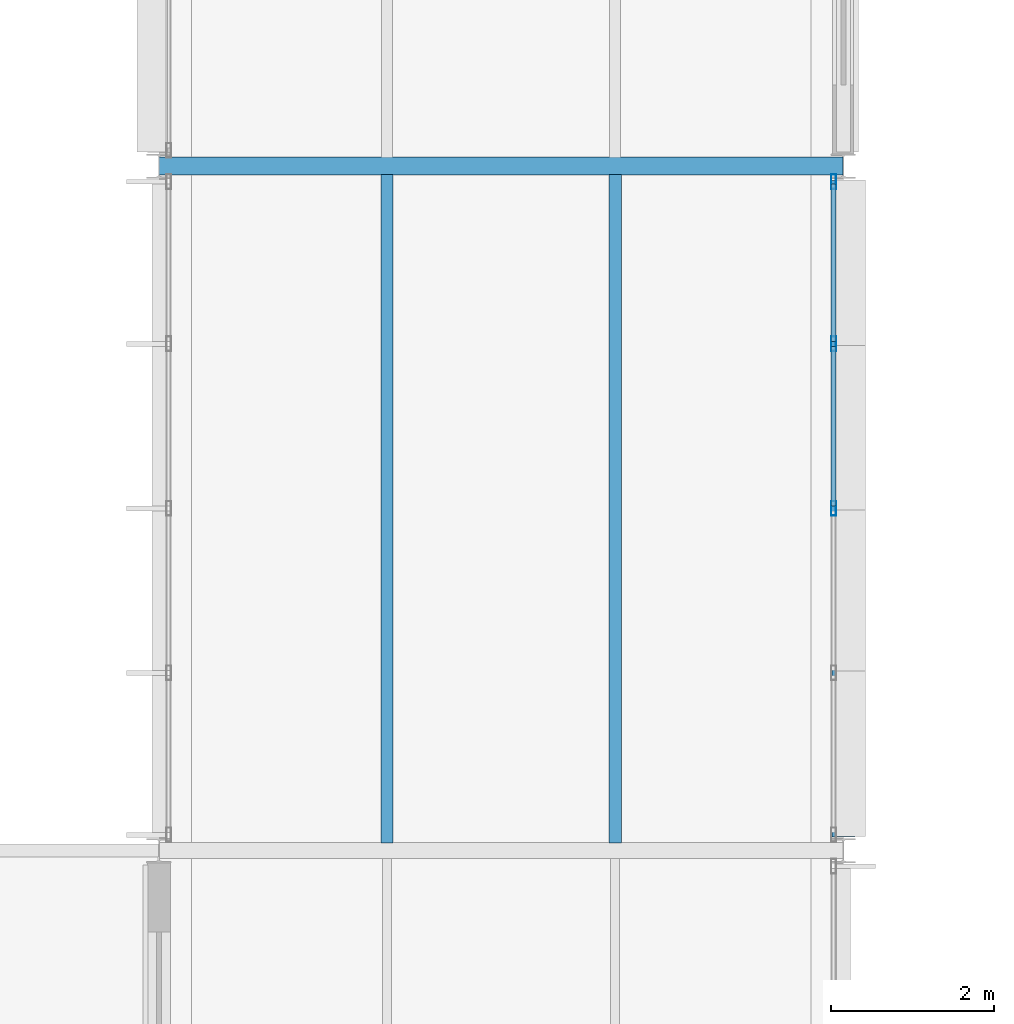
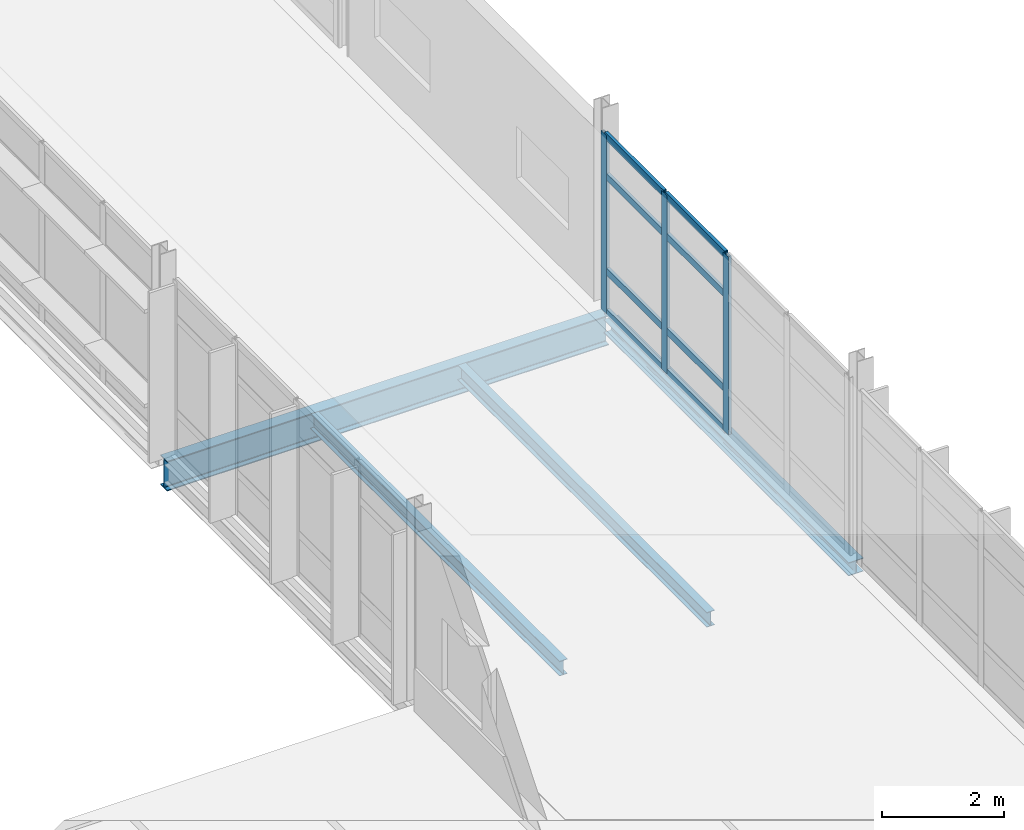
# One storey, part 35 of 66: 11 members, 4 beams, 1 element without a shape of its own.
"""IFC4 building model written with IfcOpenShell, lengths in metres."""

import ifcopenshell
import ifcopenshell.guid

model = None  # the IFC model being written
_history = None  # IfcOwnerHistory: only IFC2X3 demands one
_inside = {}  # id of a spatial element -> (the spatial element, [elements in it])
_under = {}  # id of a project, library or spatial element -> (it, [spatial elements below it])
_declared = {}  # id of a project -> (the project, [libraries it declares])
_typed = {}  # id of a type object -> (the type object, [elements of that type])
_made_of = {}  # id of a material, layer set ... -> (it, [elements and type objects made of it])


def new_model(schema):
    """Start an empty IFC model of exactly this schema.

    Asked for "IFC4X3", IfcOpenShell would pick the latest addendum, in which some entities
    have other attributes; the version numbers below select the first issue.
    IFC2X3 requires an IfcOwnerHistory on every rooted entity: one is made here for all.
    """
    global model, _history
    if schema == "IFC4X3":
        model = ifcopenshell.file(schema_version=(4, 3, 0, 0))
    else:
        model = ifcopenshell.file(schema=schema)
    _inside.clear()
    _under.clear()
    _declared.clear()
    _typed.clear()
    _made_of.clear()
    _history = None
    if model.schema == "IFC2X3":
        org = make("IfcOrganization", Name="unknown")
        user = make(
            "IfcPersonAndOrganization",
            ThePerson=make("IfcPerson", FamilyName="unknown"),
            TheOrganization=org,
        )
        app = make(
            "IfcApplication",
            ApplicationDeveloper=org,
            Version="unknown",
            ApplicationFullName="unknown",
            ApplicationIdentifier="unknown",
        )
        _history = make(
            "IfcOwnerHistory",
            OwningUser=user,
            OwningApplication=app,
            ChangeAction="ADDED",
            CreationDate=0,
        )
    return model


def make(cls, **values):
    """One entity of the class cls with the attributes given. An attribute that is None is left unset."""
    return model.create_entity(
        cls, **{name: value for name, value in values.items() if value is not None}
    )


def rooted(cls, **values):
    """An entity with a GlobalId (a new one), such as an element, a storey or a relation."""
    return make(cls, GlobalId=ifcopenshell.guid.new(), OwnerHistory=_history, **values)


def si_unit(unit_type, name, prefix=None):
    """IfcSIUnit, for example si_unit("LENGTHUNIT", "METRE", prefix="MILLI")."""
    return make("IfcSIUnit", UnitType=unit_type, Prefix=prefix, Name=name)


def assignment(units):
    """IfcUnitAssignment: the units of a project."""
    return None if units is None else make("IfcUnitAssignment", Units=units)


def point(xyz):
    """IfcCartesianPoint."""
    return None if xyz is None else make("IfcCartesianPoint", Coordinates=xyz)


def direction(xyz):
    """IfcDirection."""
    return None if xyz is None else make("IfcDirection", DirectionRatios=xyz)


def frame(location, z_axis=None, x_axis=None):
    """IfcAxis2Placement3D, a coordinate frame: its origin and axes. An axis left out is left unset."""
    return make(
        "IfcAxis2Placement3D",
        Location=point(location),
        Axis=direction(z_axis),
        RefDirection=direction(x_axis),
    )


def frame_2d(location, x_axis=None):
    """IfcAxis2Placement2D, a coordinate frame in the plane: its origin and x axis."""
    return make(
        "IfcAxis2Placement2D", Location=point(location), RefDirection=direction(x_axis)
    )


def origin():
    """The frame at (0, 0, 0) with its axes left unset."""
    return frame((0.0, 0.0, 0.0))


def origin_2d():
    """The frame at (0, 0) in the plane with its x axis left unset."""
    return frame_2d((0.0, 0.0))


def place(relative_to, where):
    """IfcLocalPlacement: puts the frame where relative to a parent placement (None: the world)."""
    return make(
        "IfcLocalPlacement", PlacementRelTo=relative_to, RelativePlacement=where
    )


def context(
    kind, dimensions, precision=None, world=None, true_north=None, identifier=None
):
    """IfcGeometricRepresentationContext, for example the 3D "Model" context."""
    return make(
        "IfcGeometricRepresentationContext",
        ContextIdentifier=identifier,
        ContextType=kind,
        CoordinateSpaceDimension=dimensions,
        Precision=precision,
        WorldCoordinateSystem=world,
        TrueNorth=true_north,
    )


def subcontext(parent, identifier, kind, view, scale=None):
    """IfcGeometricRepresentationSubContext, for example "Body" below "Model"."""
    return make(
        "IfcGeometricRepresentationSubContext",
        ContextIdentifier=identifier,
        ContextType=kind,
        ParentContext=parent,
        TargetScale=scale,
        TargetView=view,
    )


def project(units=None, contexts=None):
    """IfcProject with its units and contexts."""
    return rooted(
        "IfcProject",
        Name="project",
        RepresentationContexts=contexts,
        UnitsInContext=assignment(units),
    )


def spatial(cls, under=None, at=None, **own):
    """A site, building, storey or space (cls), placed at a placement, below another one or the project."""
    s = rooted(cls, ObjectPlacement=at, **own)
    if under is not None:
        _under.setdefault(under.id(), (under, []))[1].append(s)
    return s


def profile(cls, at=None, kind="AREA", **sizes):
    """A parametric profile (cls). Its sizes go by their IFC names, for example OverallWidth=200.0."""
    return make(cls, ProfileType=kind, Position=at, **sizes)


def hollow_rectangle(**sizes):
    """IfcRectangleHollowProfileDef."""
    return profile("IfcRectangleHollowProfileDef", **sizes)


def i_section(**sizes):
    """IfcIShapeProfileDef."""
    return profile("IfcIShapeProfileDef", **sizes)


def extrude(swept, where, along, depth):
    """IfcExtrudedAreaSolid: the profile swept, set in the frame where, extruded along a direction by depth."""
    return make(
        "IfcExtrudedAreaSolid",
        SweptArea=swept,
        Position=where,
        ExtrudedDirection=direction(along),
        Depth=depth,
    )


def shape(context_of_items, identifier, shape_type, items):
    """IfcShapeRepresentation: the items that make up one representation, for example the "Body"."""
    return make(
        "IfcShapeRepresentation",
        ContextOfItems=context_of_items,
        RepresentationIdentifier=identifier,
        RepresentationType=shape_type,
        Items=items,
    )


def material(Name=None, Category=None):
    """IfcMaterial."""
    return make("IfcMaterial", Name=Name, Category=Category)


def material_profile(
    of_material, cross_section, Name=None, Category=None, Priority=None
):
    """IfcMaterialProfile: a cross section and its material."""
    return make(
        "IfcMaterialProfile",
        Name=Name,
        Material=of_material,
        Profile=cross_section,
        Priority=Priority,
        Category=Category,
    )


def profile_set(profiles, Name=None, composite=None):
    """IfcMaterialProfileSet."""
    return make(
        "IfcMaterialProfileSet",
        Name=Name,
        MaterialProfiles=profiles,
        CompositeProfile=composite,
    )


def made_of(thing, what):
    """Note that an element or type object is made of a material, layer set ...; save() writes the relation."""
    if what is not None:
        _made_of.setdefault(what.id(), (what, []))[1].append(thing)
    return thing


def type_object(cls, material=None, **own):
    """A type object (cls), such as IfcWallType, which elements share."""
    return made_of(rooted(cls, **own), material)


def element(
    cls,
    number,
    at=None,
    inside=None,
    cuts=None,
    type_object=None,
    material=None,
    context=None,
    identifier="Body",
    shape_type=None,
    held_by="IfcProductDefinitionShape",
    body=None,
    shapes=None,
    **own,
):
    """One element of the class cls, such as IfcWall. Its Tag is "e" and its number.

    at: its placement. inside: the storey or other place that contains it. cuts: it is an
    opening in that element (IfcRelVoidsElement). A single representation is given by context,
    identifier, shape_type and body (its items); several are given by shapes. held_by: the class
    of the entity that holds the representations. save() writes the other relations.
    """
    e = rooted(cls, Tag="e%d" % number, ObjectPlacement=at, **own)
    if body is not None:
        shapes = [shape(context, identifier, shape_type, body)]
    if shapes is not None:
        e.Representation = make(held_by, Representations=shapes)
    if inside is not None:
        _inside.setdefault(inside.id(), (inside, []))[1].append(e)
    if cuts is not None:
        rooted(
            "IfcRelVoidsElement", RelatingBuildingElement=cuts, RelatedOpeningElement=e
        )
    if type_object is not None:
        _typed.setdefault(type_object.id(), (type_object, []))[1].append(e)
    return made_of(e, material)


def aggregate(whole, parts):
    """IfcRelAggregates: a whole, such as a stair, and the parts it consists of."""
    return rooted("IfcRelAggregates", RelatingObject=whole, RelatedObjects=parts)


def save(model, path):
    """Write the relations noted so far, then the file.

    IfcRelAggregates (storeys below a building ...), IfcRelContainedInSpatialStructure (elements
    in a storey), IfcRelDefinesByType, IfcRelAssociatesMaterial and IfcRelDeclares: one each for
    every whole, place, type object, material and project.
    """
    for whole, parts in _under.values():
        aggregate(whole, parts)
    for where, things in _inside.values():
        rooted(
            "IfcRelContainedInSpatialStructure",
            RelatedElements=things,
            RelatingStructure=where,
        )
    for kind, things in _typed.values():
        rooted("IfcRelDefinesByType", RelatedObjects=things, RelatingType=kind)
    for what, things in _made_of.values():
        rooted("IfcRelAssociatesMaterial", RelatedObjects=things, RelatingMaterial=what)
    for by, libraries in _declared.values():
        rooted("IfcRelDeclares", RelatingContext=by, RelatedDefinitions=libraries)
    model.write(path)


model = new_model("IFC4")

# Units and contexts
model_context = context("Model", 3, precision=1e-05, world=origin(), true_north=direction((0.0, 1.0)))
body_context = subcontext(model_context, "Body", "Model", "MODEL_VIEW")
ifc_project = project(units=[si_unit("LENGTHUNIT", "METRE"), si_unit("AREAUNIT", "SQUARE_METRE"), si_unit("VOLUMEUNIT", "CUBIC_METRE"), si_unit("PLANEANGLEUNIT", "RADIAN"), si_unit("MASSUNIT", "GRAM", prefix="KILO")], contexts=[model_context])

# Site, building, storey
site_placement = place(None, origin())
site = spatial("IfcSite", under=ifc_project, at=site_placement, CompositionType="ELEMENT")
building_placement = place(site_placement, origin())
building = spatial("IfcBuilding", under=site, at=building_placement, Name="Mersafa Astral City Hall", CompositionType="ELEMENT")
storey_placement = place(building_placement, frame((0.0, 0.0, 22.050048828125)))
storey = spatial("IfcBuildingStorey", under=building, at=storey_placement, Name="L05", CompositionType="ELEMENT", Elevation=22.050048828125)

# Curtain wall, members
ifc_material_1 = material(Name="Anodised bronze aluminium framing", Category="aluminium")
curtain_wall_type = type_object("IfcCurtainWallType", Name="ENV-CW-6", PredefinedType="USERDEFINED", material=ifc_material_1)
curtain_wall_placement = place(storey_placement, origin())
curtain_wall = element("IfcCurtainWall", 1, at=curtain_wall_placement, inside=storey, type_object=curtain_wall_type, Name="L05 Unitised solar curtain wall 227", ObjectType="UNITISED CURTAIN WALL", PredefinedType="USERDEFINED")
ifc_material_profile_1 = material_profile(ifc_material_1, hollow_rectangle(XDim=0.06005859375, YDim=0.179931640625, WallThickness=0.00390625, at=origin_2d()), Name="RHS 60x180x4")
ifc_profile_set_1 = profile_set([ifc_material_profile_1], Name="Anodised bronze aluminium framing")
member_type_1 = type_object("IfcMemberType", Name="ENV-CW-MUL-1", PredefinedType="MULLION", material=ifc_profile_set_1)
member_1_placement = place(storey_placement, frame((176.280029296875, 88.199951171875, -0.001953125), z_axis=(0.0, 0.0, 1.0), x_axis=(-1.0, 0.0, 0.0)))
member_1 = element("IfcMember", 2, at=member_1_placement, type_object=member_type_1, Name="CW-6 mullion 3", PredefinedType="MULLION", context=body_context, shape_type="SweptSolid", body=[
    extrude(hollow_rectangle(XDim=0.06005859375, YDim=0.179931640625, WallThickness=0.00390625, at=origin_2d()), origin(), (0.0, 0.0, 1.0), 3.578857421875),
])
member_2_placement = place(storey_placement, frame((176.280029296875, 90.218994140625, -0.001953125), z_axis=(0.0, 0.0, 1.0), x_axis=(-1.0, 0.0, 0.0)))
member_2 = element("IfcMember", 3, at=member_2_placement, type_object=member_type_1, Name="CW-6 mullion 4", PredefinedType="MULLION", context=body_context, shape_type="SweptSolid", body=[
    extrude(hollow_rectangle(XDim=0.06005859375, YDim=0.179931640625, WallThickness=0.00390625, at=origin_2d()), origin(), (0.0, 0.0, 1.0), 3.578857421875),
])
member_3_placement = place(storey_placement, frame((176.280029296875, 92.2080078125, -0.001953125), z_axis=(0.0, 0.0, 1.0), x_axis=(-1.0, 0.0, 0.0)))
member_3 = element("IfcMember", 4, at=member_3_placement, type_object=member_type_1, Name="CW-6 mullion 5", PredefinedType="MULLION", context=body_context, shape_type="SweptSolid", body=[
    extrude(hollow_rectangle(XDim=0.06005859375, YDim=0.179931640625, WallThickness=0.00390625, at=origin_2d()), origin(), (0.0, 0.0, 1.0), 3.578857421875),
])
ifc_material_profile_2 = material_profile(ifc_material_1, hollow_rectangle(XDim=0.06005859375, YDim=0.139892578125, WallThickness=0.00390625, at=origin_2d()), Name="RHS 60x140x4")
ifc_profile_set_2 = profile_set([ifc_material_profile_2], Name="Anodised bronze aluminium framing")
member_type_2 = type_object("IfcMemberType", Name="ENV-CW-TRN-1", PredefinedType="USERDEFINED", material=ifc_profile_set_2)
member_4_placement = place(storey_placement, frame((176.280029296875, 88.22998046875, 0.02783203125), z_axis=(0.0, 1.0, 0.0), x_axis=(-1.0, 0.0, 0.0)))
member_4 = element("IfcMember", 5, at=member_4_placement, type_object=member_type_2, Name="CW-6 transom 3.1", ObjectType="TRANSOM", PredefinedType="USERDEFINED", context=body_context, shape_type="SweptSolid", body=[
    extrude(hollow_rectangle(XDim=0.06005859375, YDim=0.139892578125, WallThickness=0.00390625, at=origin_2d()), origin(), (0.0, 0.0, 1.0), 1.958984375),
])
member_5_placement = place(storey_placement, frame((176.280029296875, 88.22998046875, 0.849853515625), z_axis=(0.0, 1.0, 0.0), x_axis=(-1.0, 0.0, 0.0)))
member_5 = element("IfcMember", 6, at=member_5_placement, type_object=member_type_2, Name="CW-6 transom 3.2", ObjectType="TRANSOM", PredefinedType="USERDEFINED", context=body_context, shape_type="SweptSolid", body=[
    extrude(hollow_rectangle(XDim=0.06005859375, YDim=0.139892578125, WallThickness=0.00390625, at=origin_2d()), origin(), (0.0, 0.0, 1.0), 1.958984375),
])
member_6_placement = place(storey_placement, frame((176.280029296875, 88.22998046875, 2.75), z_axis=(0.0, 1.0, 0.0), x_axis=(-1.0, 0.0, 0.0)))
member_6 = element("IfcMember", 7, at=member_6_placement, type_object=member_type_2, Name="CW-6 transom 3.3", ObjectType="TRANSOM", PredefinedType="USERDEFINED", context=body_context, shape_type="SweptSolid", body=[
    extrude(hollow_rectangle(XDim=0.06005859375, YDim=0.139892578125, WallThickness=0.00390625, at=origin_2d()), origin(), (0.0, 0.0, 1.0), 1.958984375),
])
member_7_placement = place(storey_placement, frame((176.280029296875, 88.22998046875, 3.546875), z_axis=(0.0, 1.0, 0.0), x_axis=(-1.0, 0.0, 0.0)))
member_7 = element("IfcMember", 8, at=member_7_placement, type_object=member_type_2, Name="CW-6 transom 3.4", ObjectType="TRANSOM", PredefinedType="USERDEFINED", context=body_context, shape_type="SweptSolid", body=[
    extrude(hollow_rectangle(XDim=0.06005859375, YDim=0.139892578125, WallThickness=0.00390625, at=origin_2d()), origin(), (0.0, 0.0, 1.0), 1.958984375),
])
member_8_placement = place(storey_placement, frame((176.280029296875, 90.2490234375, 0.02783203125), z_axis=(0.0, 1.0, 0.0), x_axis=(-1.0, 0.0, 0.0)))
member_8 = element("IfcMember", 9, at=member_8_placement, type_object=member_type_2, Name="CW-6 transom 4.1", ObjectType="TRANSOM", PredefinedType="USERDEFINED", context=body_context, shape_type="SweptSolid", body=[
    extrude(hollow_rectangle(XDim=0.06005859375, YDim=0.139892578125, WallThickness=0.00390625, at=origin_2d()), origin(), (0.0, 0.0, 1.0), 1.928955078125),
])
member_9_placement = place(storey_placement, frame((176.280029296875, 90.2490234375, 0.849853515625), z_axis=(0.0, 1.0, 0.0), x_axis=(-1.0, 0.0, 0.0)))
member_9 = element("IfcMember", 10, at=member_9_placement, type_object=member_type_2, Name="CW-6 transom 4.2", ObjectType="TRANSOM", PredefinedType="USERDEFINED", context=body_context, shape_type="SweptSolid", body=[
    extrude(hollow_rectangle(XDim=0.06005859375, YDim=0.139892578125, WallThickness=0.00390625, at=origin_2d()), origin(), (0.0, 0.0, 1.0), 1.928955078125),
])
member_10_placement = place(storey_placement, frame((176.280029296875, 90.2490234375, 2.75), z_axis=(0.0, 1.0, 0.0), x_axis=(-1.0, 0.0, 0.0)))
member_10 = element("IfcMember", 11, at=member_10_placement, type_object=member_type_2, Name="CW-6 transom 4.3", ObjectType="TRANSOM", PredefinedType="USERDEFINED", context=body_context, shape_type="SweptSolid", body=[
    extrude(hollow_rectangle(XDim=0.06005859375, YDim=0.139892578125, WallThickness=0.00390625, at=origin_2d()), origin(), (0.0, 0.0, 1.0), 1.928955078125),
])
member_11_placement = place(storey_placement, frame((176.280029296875, 90.2490234375, 3.546875), z_axis=(0.0, 1.0, 0.0), x_axis=(-1.0, 0.0, 0.0)))
member_11 = element("IfcMember", 12, at=member_11_placement, type_object=member_type_2, Name="CW-6 transom 4.4", ObjectType="TRANSOM", PredefinedType="USERDEFINED", context=body_context, shape_type="SweptSolid", body=[
    extrude(hollow_rectangle(XDim=0.06005859375, YDim=0.139892578125, WallThickness=0.00390625, at=origin_2d()), origin(), (0.0, 0.0, 1.0), 1.928955078125),
])
aggregate(curtain_wall, [member_1, member_2, member_3, member_4, member_5, member_6, member_7, member_8, member_9, member_10, member_11])

# Beams
ifc_material_2 = material(Name="Steel S355", Category="steel")
ifc_material_profile_3 = material_profile(ifc_material_2, i_section(OverallWidth=0.219970703125, OverallDepth=0.60009765625, WebThickness=0.011962890625, FlangeThickness=0.01904296875, FilletRadius=0.02392578125, at=origin_2d()), Name="IPE 600")
ifc_profile_set_3 = profile_set([ifc_material_profile_3], Name="Steel S355")
beam_type_1 = type_object("IfcBeamType", Name="STR-BM-IPE600", PredefinedType="BEAM", material=ifc_profile_set_3)
beam_1_placement = place(storey_placement, frame((168.0029296875, 92.39990234375, -0.47998046875), z_axis=(1.0, 0.0, 0.0), x_axis=(0.0, 1.0, 0.0)))
element("IfcBeam", 13, at=beam_1_placement, inside=storey, type_object=beam_type_1, Name="L05 Primary girder X 20-11", PredefinedType="BEAM", context=body_context, shape_type="SweptSolid", body=[
    extrude(i_section(OverallWidth=0.219970703125, OverallDepth=0.60009765625, WebThickness=0.011962890625, FlangeThickness=0.01904296875, FilletRadius=0.02392578125, at=origin_2d()), origin(), (0.0, 0.0, 1.0), 8.39404296875),
])
ifc_material_profile_4 = material_profile(ifc_material_2, i_section(OverallWidth=0.14990234375, OverallDepth=0.300048828125, WebThickness=0.007080078125, FlangeThickness=0.0107421875, FilletRadius=0.014892578125, at=origin_2d()), Name="IPE 300")
ifc_profile_set_4 = profile_set([ifc_material_profile_4], Name="Steel S355")
beam_type_2 = type_object("IfcBeamType", Name="STR-BM-JOIST-IPE300", PredefinedType="JOIST", material=ifc_profile_set_4)
for number, where, z_axis, x_axis, name in (
    (14, (170.800048828125, 84.094970703125, -0.330078125), (0.0, 1.0, 0.0), (-1.0, 0.0, 0.0), "L05 Composite secondary floor joist 834"),
    (15, (173.60009765625, 84.094970703125, -0.330078125), (0.0, 1.0, 0.0), (-1.0, 0.0, 0.0), "L05 Composite secondary floor joist 835"),
):
    element("IfcBeam", number, at=place(storey_placement, frame(where, z_axis=z_axis, x_axis=x_axis)), inside=storey, type_object=beam_type_2, Name=name, PredefinedType="JOIST", context=body_context, shape_type="SweptSolid", body=[
        extrude(i_section(OverallWidth=0.14990234375, OverallDepth=0.300048828125, WebThickness=0.007080078125, FlangeThickness=0.0107421875, FilletRadius=0.014892578125, at=origin_2d()), origin(), (0.0, 0.0, 1.0), 8.199951171875),
    ])
ifc_material_profile_5 = material_profile(ifc_material_2, i_section(OverallWidth=0.280029296875, OverallDepth=0.27001953125, WebThickness=0.008056640625, FlangeThickness=0.012939453125, FilletRadius=0.02392578125, at=origin_2d()), Name="HEA 280")
ifc_profile_set_5 = profile_set([ifc_material_profile_5], Name="Steel S355")
beam_type_3 = type_object("IfcBeamType", Name="STR-BM-SPANDREL-HEA280", PredefinedType="SPANDREL", material=ifc_profile_set_5)
beam_2_placement = place(storey_placement, frame((176.39990234375, 84.1650390625, -0.31494140625), z_axis=(0.0, 1.0, 0.0), x_axis=(-1.0, 0.0, 0.0)))
element("IfcBeam", 16, at=beam_2_placement, inside=storey, type_object=beam_type_3, Name="L05 Primary girder Y 21-10", PredefinedType="SPANDREL", context=body_context, shape_type="SweptSolid", body=[
    extrude(i_section(OverallWidth=0.280029296875, OverallDepth=0.27001953125, WebThickness=0.008056640625, FlangeThickness=0.012939453125, FilletRadius=0.02392578125, at=origin_2d()), origin(), (0.0, 0.0, 1.0), 8.06005859375),
])

save(model, "model.ifc")
